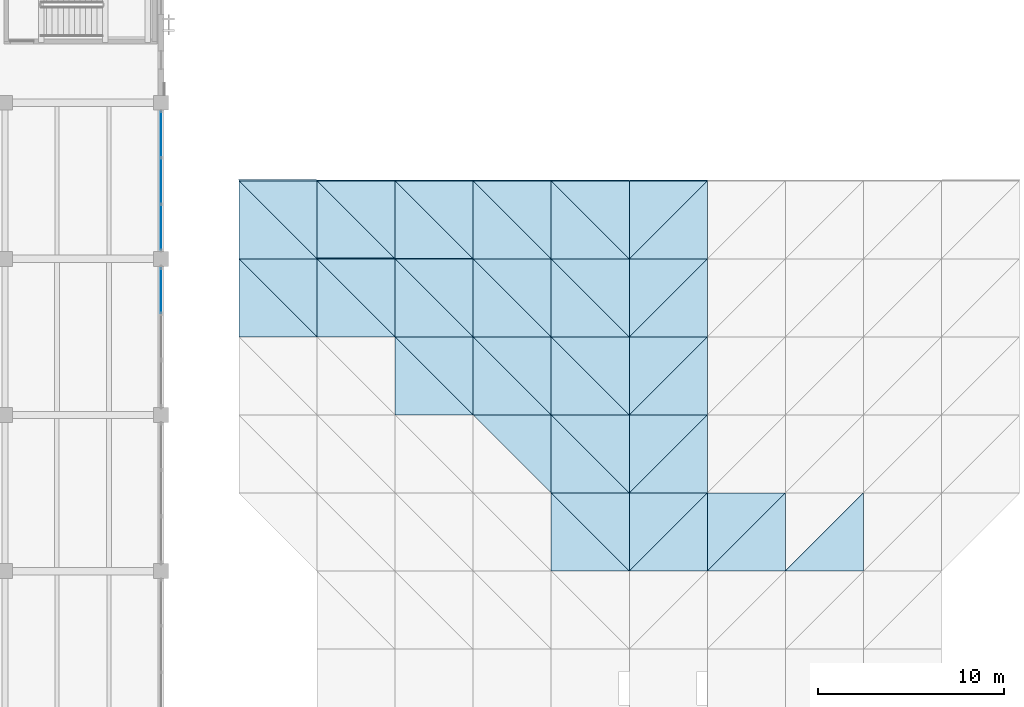
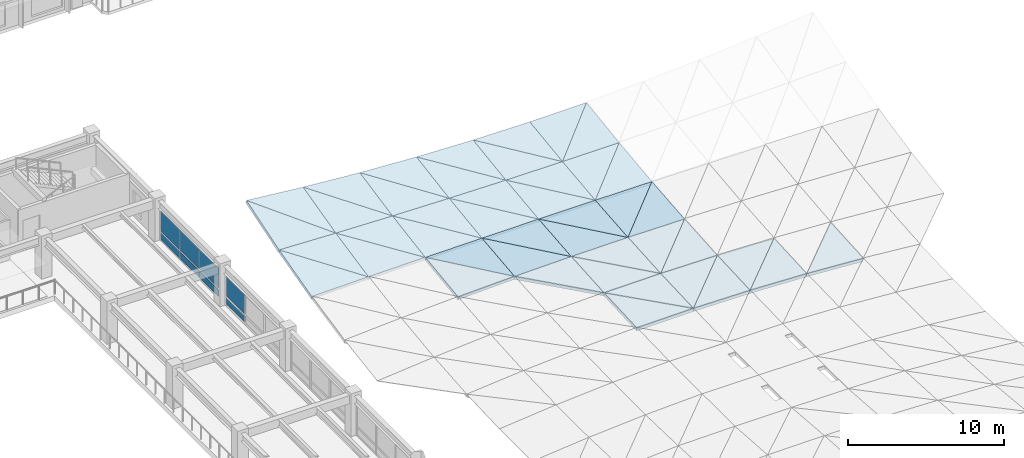
# One storey, part 65 of 123: 44 slabs, 8 plates, 2 elements without a shape of their own.
"""IFC4 building model written with IfcOpenShell, lengths in metres."""

from ifc_helpers import new_model, si_unit, direction, frame, origin, origin_2d, place, context, subcontext, project, spatial, polyline, rectangle, outline, extrude, material, layer, layer_set, type_object, element, aggregate, save


model = new_model("IFC4")

# Units and contexts
model_context = context("Model", 3, precision=1e-05, world=origin(), true_north=direction((0.0, 1.0)))
body_context = subcontext(model_context, "Body", "Model", "MODEL_VIEW")
ifc_project = project(units=[si_unit("LENGTHUNIT", "METRE"), si_unit("AREAUNIT", "SQUARE_METRE"), si_unit("VOLUMEUNIT", "CUBIC_METRE"), si_unit("PLANEANGLEUNIT", "RADIAN"), si_unit("MASSUNIT", "GRAM", prefix="KILO")], contexts=[model_context])

# Site, building, storey
site_placement = place(None, origin())
site = spatial("IfcSite", under=ifc_project, at=site_placement, CompositionType="ELEMENT")
building_placement = place(site_placement, origin())
building = spatial("IfcBuilding", under=site, at=building_placement, Name="Cumbredor Promenade Congress Hotel", CompositionType="ELEMENT")
storey_placement = place(building_placement, frame((0.0, 0.0, 11.760009765625)))
storey = spatial("IfcBuildingStorey", under=building, at=storey_placement, Name="L03", CompositionType="ELEMENT", Elevation=11.760009765625)

# Curtain wall, plates
ifc_material_1 = material(Name="Thermally broken anodized aluminium and low-E glass", Category="aluminium")
curtain_wall_type = type_object("IfcCurtainWallType", Name="Unitised Bronze Curtain Wall CW-01", PredefinedType="NOTDEFINED", material=ifc_material_1)
curtain_wall_1_placement = place(storey_placement, origin())
curtain_wall_1 = element("IfcCurtainWall", 1, at=curtain_wall_1_placement, inside=storey, type_object=curtain_wall_type, Name="L03 Plenary Congress Hall East Curtain Wall 6", PredefinedType="NOTDEFINED")
ifc_material_2 = material(Name="Laminated low-E solar-control glass", Category="glass")
ifc_layer_1 = layer(ifc_material_2, 0.028076171875, Name="Laminated low-E solar-control glass", Category="glass")
ifc_layer_set_1 = layer_set([ifc_layer_1], Name="Laminated low-E solar-control glass")
plate_type_1 = type_object("IfcPlateType", Name="Glazed Vision Panel PNL-01", PredefinedType="CURTAIN_PANEL", material=ifc_layer_set_1)
plate_1_placement = place(storey_placement, frame((67.199951171875, 52.103515625, 0.784912109375), z_axis=(0.0, 0.0, 1.0), x_axis=(0.0, 1.0, 0.0)))
plate_1 = element("IfcPlate", 2, at=plate_1_placement, type_object=plate_type_1, Name="L03 Plenary Congress Hall East Curtain Wall 6 Glazing Panel 1.2", PredefinedType="CURTAIN_PANEL", context=body_context, shape_type="SweptSolid", body=[
    extrude(rectangle(XDim=2.431640625, YDim=0.028076171875, at=origin_2d()), origin(), (0.0, 0.0, 1.0), 1.580078125),
])
plate_2_placement = place(storey_placement, frame((67.199951171875, 54.60009765625, 0.784912109375), z_axis=(0.0, 0.0, 1.0), x_axis=(0.0, 1.0, 0.0)))
plate_2 = element("IfcPlate", 3, at=plate_2_placement, type_object=plate_type_1, Name="L03 Plenary Congress Hall East Curtain Wall 6 Glazing Panel 2.2", PredefinedType="CURTAIN_PANEL", context=body_context, shape_type="SweptSolid", body=[
    extrude(rectangle(XDim=2.431640625, YDim=0.028076171875, at=origin_2d()), origin(), (0.0, 0.0, 1.0), 1.580078125),
])
plate_3_placement = place(storey_placement, frame((67.199951171875, 57.0966796875, 0.784912109375), z_axis=(0.0, 0.0, 1.0), x_axis=(0.0, 1.0, 0.0)))
plate_3 = element("IfcPlate", 4, at=plate_3_placement, type_object=plate_type_1, Name="L03 Plenary Congress Hall East Curtain Wall 6 Glazing Panel 3.2", PredefinedType="CURTAIN_PANEL", context=body_context, shape_type="SweptSolid", body=[
    extrude(rectangle(XDim=2.431640625, YDim=0.028076171875, at=origin_2d()), origin(), (0.0, 0.0, 1.0), 1.580078125),
])

curtain_wall_2_placement = place(storey_placement, origin())
curtain_wall_2 = element("IfcCurtainWall", 5, at=curtain_wall_2_placement, inside=storey, type_object=curtain_wall_type, Name="L03 Plenary Congress Hall East Curtain Wall 5", PredefinedType="NOTDEFINED")
ifc_layer_2 = layer(ifc_material_2, 0.028076171875, Name="Laminated low-E solar-control glass", Category="glass")
ifc_layer_set_2 = layer_set([ifc_layer_2], Name="Laminated low-E solar-control glass")
plate_type_2 = type_object("IfcPlateType", Name="Glazed Vision Panel PNL-03", PredefinedType="CURTAIN_PANEL", material=ifc_layer_set_2)
plate_4_placement = place(storey_placement, frame((67.199951171875, 48.69677734375, 0.81005859375), z_axis=(0.0, 0.0, 1.0), x_axis=(0.0, 1.0, 0.0)))
plate_4 = element("IfcPlate", 6, at=plate_4_placement, type_object=plate_type_2, Name="L03 Plenary Congress Hall East Curtain Wall 5 Glazing Panel 3.2", PredefinedType="CURTAIN_PANEL", context=body_context, shape_type="SweptSolid", body=[
    extrude(rectangle(XDim=2.416748046875, YDim=0.028076171875, at=origin_2d()), origin(), (0.0, 0.0, 1.0), 1.5),
])
ifc_material_3 = material(Name="Thermally broken anodized aluminium", Category="aluminium")
ifc_layer_3 = layer(ifc_material_3, 0.0400390625, Name="Thermally broken anodized aluminium", Category="aluminium")
ifc_layer_set_3 = layer_set([ifc_layer_3], Name="Thermally broken anodized aluminium")
plate_type_3 = type_object("IfcPlateType", Name="Insulated Spandrel Panel PNL-05", PredefinedType="CURTAIN_PANEL", material=ifc_layer_set_3)
plate_5_placement = place(storey_placement, frame((67.199951171875, 48.69677734375, 0.18017578125), z_axis=(0.0, 0.0, 1.0), x_axis=(0.0, 1.0, 0.0)))
plate_5 = element("IfcPlate", 7, at=plate_5_placement, type_object=plate_type_3, Name="L03 Plenary Congress Hall East Curtain Wall 5 Spandrel Panel 3.1", PredefinedType="CURTAIN_PANEL", context=body_context, shape_type="SweptSolid", body=[
    extrude(rectangle(XDim=2.416748046875, YDim=0.0400390625, at=origin_2d()), origin(), (0.0, 0.0, 1.0), 0.449951171875),
])
aggregate(curtain_wall_2, [plate_5, plate_4])

# Plate
ifc_layer_4 = layer(ifc_material_3, 0.0400390625, Name="Thermally broken anodized aluminium", Category="aluminium")
ifc_layer_set_4 = layer_set([ifc_layer_4], Name="Thermally broken anodized aluminium")
plate_type_4 = type_object("IfcPlateType", Name="Insulated Spandrel Panel PNL-06", PredefinedType="CURTAIN_PANEL", material=ifc_layer_set_4)
plate_6_placement = place(storey_placement, frame((67.199951171875, 52.103515625, 0.125), z_axis=(0.0, 0.0, 1.0), x_axis=(0.0, 1.0, 0.0)))
plate_6 = element("IfcPlate", 8, at=plate_6_placement, type_object=plate_type_4, Name="L03 Plenary Congress Hall East Curtain Wall 6 Spandrel Panel 1.1", PredefinedType="CURTAIN_PANEL", context=body_context, shape_type="SweptSolid", body=[
    extrude(rectangle(XDim=2.431640625, YDim=0.0400390625, at=origin_2d()), origin(), (0.0, 0.0, 1.0), 0.530029296875),
])

plate_7_placement = place(storey_placement, frame((67.199951171875, 54.60009765625, 0.125), z_axis=(0.0, 0.0, 1.0), x_axis=(0.0, 1.0, 0.0)))
plate_7 = element("IfcPlate", 9, at=plate_7_placement, type_object=plate_type_4, Name="L03 Plenary Congress Hall East Curtain Wall 6 Spandrel Panel 2.1", PredefinedType="CURTAIN_PANEL", context=body_context, shape_type="SweptSolid", body=[
    extrude(rectangle(XDim=2.431640625, YDim=0.0400390625, at=origin_2d()), origin(), (0.0, 0.0, 1.0), 0.530029296875),
])

plate_8_placement = place(storey_placement, frame((67.199951171875, 57.0966796875, 0.125), z_axis=(0.0, 0.0, 1.0), x_axis=(0.0, 1.0, 0.0)))
plate_8 = element("IfcPlate", 10, at=plate_8_placement, type_object=plate_type_4, Name="L03 Plenary Congress Hall East Curtain Wall 6 Spandrel Panel 3.1", PredefinedType="CURTAIN_PANEL", context=body_context, shape_type="SweptSolid", body=[
    extrude(rectangle(XDim=2.431640625, YDim=0.0400390625, at=origin_2d()), origin(), (0.0, 0.0, 1.0), 0.530029296875),
])

aggregate(curtain_wall_1, [plate_6, plate_1, plate_7, plate_2, plate_8, plate_3])

# Slabs
ifc_material_4 = material(Name="Concrete C40/50", Category="concrete")
ifc_layer_5 = layer(ifc_material_4, 0.2451171875, Name="Concrete C40/50", Category="concrete")
ifc_layer_set_5 = layer_set([ifc_layer_5], Name="Concrete C40/50")
slab_type = type_object("IfcSlabType", Name="Spa Catenary Roof Deck 245mm", PredefinedType="ROOF", material=ifc_layer_set_5)
slab_1_placement = place(storey_placement, frame((71.39990234375, 46.199951171875, 1.49267578125), z_axis=(-0.017078932493, -0.255974143359, 0.966532745434), x_axis=(0.999843916636, 0.0, 0.017667551189)))
element("IfcSlab", 11, at=slab_1_placement, inside=storey, type_object=slab_type, Name="Thermal Spa and Hydrotherapy Pavilion Sweeping Roof Deck Facet 1.12.1", PredefinedType="ROOF", context=body_context, shape_type="SweptSolid", body=[
    extrude(outline(polyline([(0.0, 0.0), (4.200850995453009, 3.469446951953614e-18), (0.01965170000429597, 4.3447008383380785), (0.0, 0.0)])), origin(), (0.0, 0.0, -1.0), 0.2451171875),
])
slab_2_placement = place(storey_placement, frame((75.60009765625, 46.199951171875, 1.56689453125), z_axis=(0.036268318248, -0.205456616586, 0.97799396102), x_axis=(0.0, 0.978637818466, 0.205591877925)))
element("IfcSlab", 12, at=slab_2_placement, inside=storey, type_object=slab_type, Name="Thermal Spa and Hydrotherapy Pavilion Sweeping Roof Deck Facet 1.12.2", PredefinedType="ROOF", context=body_context, shape_type="SweptSolid", body=[
    extrude(outline(polyline([(0.0, 0.0), (4.291629745577662, 0.0), (4.323653089844224, 4.20296049013037), (0.0, 0.0)])), origin(), (0.0, 0.0, -1.0), 0.2451171875),
])
slab_3_placement = place(storey_placement, frame((71.39990234375, 50.39990234375, 2.60498046875), z_axis=(0.035320187478, -0.302712829356, 0.952427124404), x_axis=(0.999313082109, 0.0, -0.03705892504)))
element("IfcSlab", 13, at=slab_3_placement, inside=storey, type_object=slab_type, Name="Thermal Spa and Hydrotherapy Pavilion Sweeping Roof Deck Facet 1.13.1", PredefinedType="ROOF", context=body_context, shape_type="SweptSolid", body=[
    extrude(outline(polyline([(0.0, 0.0), (4.203082485054859, 0.0), (-0.04947221731395485, 4.406961977089421), (0.0, 0.0)])), origin(), (0.0, 0.0, -1.0), 0.2451171875),
])
slab_4_placement = place(storey_placement, frame((75.60009765625, 50.39990234375, 2.44921875), z_axis=(0.099213613424, -0.243238802385, 0.964879030721), x_axis=(0.0, 0.969663195666, 0.244444854662)))
element("IfcSlab", 14, at=slab_4_placement, inside=storey, type_object=slab_type, Name="Thermal Spa and Hydrotherapy Pavilion Sweeping Roof Deck Facet 1.13.2", PredefinedType="ROOF", context=body_context, shape_type="SweptSolid", body=[
    extrude(outline(polyline([(0.0, 0.0), (4.331602283424711, 1.3877787807814457e-17), (4.437174292188612, 4.221021163757828), (0.0, 0.0)])), origin(), (0.0, 0.0, -1.0), 0.2451171875),
])
slab_5_placement = place(storey_placement, frame((75.60009765625, 46.199951171875, 1.56689453125), z_axis=(-0.013424269813, -0.205573352129, 0.978549633833), x_axis=(0.999905914145, 0.0, 0.013717246744)))
element("IfcSlab", 15, at=slab_5_placement, inside=storey, type_object=slab_type, Name="Thermal Spa and Hydrotherapy Pavilion Sweeping Roof Deck Facet 2.12.1", PredefinedType="ROOF", context=body_context, shape_type="SweptSolid", body=[
    extrude(outline(polyline([(0.0, 0.0), (4.2003463650548625, 0.0), (0.012103059016859378, 4.2916126792954445), (0.0, 0.0)])), origin(), (0.0, 0.0, -1.0), 0.2451171875),
])
slab_6_placement = place(storey_placement, frame((79.800048828125, 46.199951171875, 1.62451171875), z_axis=(0.028481942239, -0.165103572615, 0.985864894028), x_axis=(0.0, 0.986265014653, 0.165170581132)))
element("IfcSlab", 16, at=slab_6_placement, inside=storey, type_object=slab_type, Name="Thermal Spa and Hydrotherapy Pavilion Sweeping Roof Deck Facet 2.12.2", PredefinedType="ROOF", context=body_context, shape_type="SweptSolid", body=[
    extrude(outline(polyline([(0.0, 0.0), (4.258440793778603, -3.469446951953614e-18), (4.278482243686476, 4.201655753404972), (0.0, 0.0)])), origin(), (0.0, 0.0, -1.0), 0.2451171875),
])
slab_7_placement = place(storey_placement, frame((75.60009765625, 50.39990234375, 2.44921875), z_axis=(0.0280028843, -0.24434899374, 0.969282934818), x_axis=(0.999582936058, 0.0, -0.028878260723)))
element("IfcSlab", 17, at=slab_7_placement, inside=storey, type_object=slab_type, Name="Thermal Spa and Hydrotherapy Pavilion Sweeping Roof Deck Facet 2.13.1", PredefinedType="ROOF", context=body_context, shape_type="SweptSolid", body=[
    extrude(outline(polyline([(0.0, 0.0), (4.20170355092259, 3.469446951953614e-18), (-0.030577396669037145, 4.33149435698387), (0.0, 0.0)])), origin(), (0.0, 0.0, -1.0), 0.2451171875),
])
slab_8_placement = place(storey_placement, frame((79.800048828125, 50.39990234375, 2.327880859375), z_axis=(0.078234999777, -0.196399908178, 0.977397749577), x_axis=(0.0, 0.980402737768, 0.197003735437)))
element("IfcSlab", 18, at=slab_8_placement, inside=storey, type_object=slab_type, Name="Thermal Spa and Hydrotherapy Pavilion Sweeping Roof Deck Facet 2.13.2", PredefinedType="ROOF", context=body_context, shape_type="SweptSolid", body=[
    extrude(outline(polyline([(0.0, 0.0), (4.284152981927269, 0.0), (4.3503820209158715, 4.212863830700222), (0.0, 0.0)])), origin(), (0.0, 0.0, -1.0), 0.2451171875),
])
slab_9_placement = place(storey_placement, frame((79.800048828125, 42.0, 1.061767578125), z_axis=(-0.033800401142, -0.132725595626, 0.990576321718), x_axis=(0.999418353939, 0.0, 0.034102108572)))
element("IfcSlab", 19, at=slab_9_placement, inside=storey, type_object=slab_type, Name="Thermal Spa and Hydrotherapy Pavilion Sweeping Roof Deck Facet 3.11.1", PredefinedType="ROOF", context=body_context, shape_type="SweptSolid", body=[
    extrude(outline(polyline([(0.0, 0.0), (4.202395478650219, 0.0), (0.019190761781795462, 4.237440563430263), (0.0, 0.0)])), origin(), (0.0, 0.0, -1.0), 0.2451171875),
])
slab_10_placement = place(storey_placement, frame((84.0, 42.0, 1.205078125), z_axis=(-0.009707116848, -0.108973942705, 0.993997209098), x_axis=(0.0, 0.99404404365, 0.108979077273)))
element("IfcSlab", 20, at=slab_10_placement, inside=storey, type_object=slab_type, Name="Thermal Spa and Hydrotherapy Pavilion Sweeping Roof Deck Facet 3.11.2", PredefinedType="ROOF", context=body_context, shape_type="SweptSolid", body=[
    extrude(outline(polyline([(0.0, 0.0), (4.225115777015072, 0.0), (4.220645932048803, 4.200149062606506), (0.0, 0.0)])), origin(), (0.0, 0.0, -1.0), 0.2451171875),
])
slab_11_placement = place(storey_placement, frame((79.800048828125, 46.199951171875, 1.62451171875), z_axis=(-0.009631159538, -0.165162920406, 0.986219270999), x_axis=(0.999952318586, 0.0, 0.00976527289)))
element("IfcSlab", 21, at=slab_11_placement, inside=storey, type_object=slab_type, Name="Thermal Spa and Hydrotherapy Pavilion Sweeping Roof Deck Facet 3.12.1", PredefinedType="ROOF", context=body_context, shape_type="SweptSolid", body=[
    extrude(outline(polyline([(0.0, 0.0), (4.200151441034993, 8.673617379884035e-19), (0.006868591600434846, 4.258435254476362), (0.0, 0.0)])), origin(), (0.0, 0.0, -1.0), 0.2451171875),
])
slab_12_placement = place(storey_placement, frame((84.0, 46.199951171875, 1.66552734375), z_axis=(0.020440500208, -0.135770984479, 0.990529366412), x_axis=(0.0, 0.99073635982, 0.135799356883)))
element("IfcSlab", 22, at=slab_12_placement, inside=storey, type_object=slab_type, Name="Thermal Spa and Hydrotherapy Pavilion Sweeping Roof Deck Facet 3.12.2", PredefinedType="ROOF", context=body_context, shape_type="SweptSolid", body=[
    extrude(outline(polyline([(0.0, 0.0), (4.239221797246176, 0.0), (4.2509915168978925, 4.200828846214915), (0.0, 0.0)])), origin(), (0.0, 0.0, -1.0), 0.2451171875),
])
slab_13_placement = place(storey_placement, frame((79.800048828125, 50.39990234375, 2.327880859375), z_axis=(0.020227388491, -0.196963429546, 0.980202152709), x_axis=(0.99978714706, 0.0, -0.020631543173)))
element("IfcSlab", 23, at=slab_13_placement, inside=storey, type_object=slab_type, Name="Thermal Spa and Hydrotherapy Pavilion Sweeping Roof Deck Facet 3.13.1", PredefinedType="ROOF", context=body_context, shape_type="SweptSolid", body=[
    extrude(outline(polyline([(0.0, 0.0), (4.20084533415502, 0.0), (-0.017412901550121, 4.284117594489665), (0.0, 0.0)])), origin(), (0.0, 0.0, -1.0), 0.2451171875),
])
slab_14_placement = place(storey_placement, frame((84.0, 50.39990234375, 2.2412109375), z_axis=(0.056294555694, -0.162002076363, 0.985183358697), x_axis=(0.0, 0.986748139826, 0.162259386629)))
element("IfcSlab", 24, at=slab_14_placement, inside=storey, type_object=slab_type, Name="Thermal Spa and Hydrotherapy Pavilion Sweeping Roof Deck Facet 3.13.2", PredefinedType="ROOF", context=body_context, shape_type="SweptSolid", body=[
    extrude(outline(polyline([(0.0, 0.0), (4.256603223229035, 0.0), (4.29554389145572, 4.20662201571375), (0.0, 0.0)])), origin(), (0.0, 0.0, -1.0), 0.2451171875),
])
slab_15_placement = place(storey_placement, frame((88.199951171875, 37.800048828125, 0.99169921875), z_axis=(-0.020463395145, -0.071129138365, 0.997257186053), x_axis=(0.0, 0.997466052646, 0.071144035726)))
element("IfcSlab", 25, at=slab_15_placement, inside=storey, type_object=slab_type, Name="Thermal Spa and Hydrotherapy Pavilion Sweeping Roof Deck Facet 4.10.2", PredefinedType="ROOF", context=body_context, shape_type="SweptSolid", body=[
    extrude(outline(polyline([(0.0, 0.0), (4.210620662963862, -8.673617379884035e-19), (4.204489353244303, 4.200830814060015), (0.0, 0.0)])), origin(), (0.0, 0.0, -1.0), 0.2451171875),
])
slab_16_placement = place(storey_placement, frame((84.0, 42.0, 1.205078125), z_axis=(-0.020393220577, -0.108956413619, 0.993837318924), x_axis=(0.999789537892, 0.0, 0.020515358186)))
element("IfcSlab", 26, at=slab_16_placement, inside=storey, type_object=slab_type, Name="Thermal Spa and Hydrotherapy Pavilion Sweeping Roof Deck Facet 4.11.1", PredefinedType="ROOF", context=body_context, shape_type="SweptSolid", body=[
    extrude(outline(polyline([(0.0, 0.0), (4.200835288524772, 1.734723475976807e-18), (0.009446280649177734, 4.2251052172654315), (0.0, 0.0)])), origin(), (0.0, 0.0, -1.0), 0.2451171875),
])
slab_17_placement = place(storey_placement, frame((88.199951171875, 42.0, 1.291259765625), z_axis=(-0.005844663075, -0.094556232315, 0.995502365062), x_axis=(0.0, 0.995519368721, 0.094557847381)))
element("IfcSlab", 27, at=slab_17_placement, inside=storey, type_object=slab_type, Name="Thermal Spa and Hydrotherapy Pavilion Sweeping Roof Deck Facet 4.11.2", PredefinedType="ROOF", context=body_context, shape_type="SweptSolid", body=[
    extrude(outline(polyline([(0.0, 0.0), (4.2188543024238365, -4.336808689942018e-19), (4.21652267581606, 4.200022909060485), (0.0, 0.0)])), origin(), (0.0, 0.0, -1.0), 0.2451171875),
])
slab_18_placement = place(storey_placement, frame((84.0, 46.199951171875, 1.66552734375), z_axis=(-0.005816583131, -0.135797059638, 0.990719600066), x_axis=(0.99998276572, 0.0, 0.005870967816)))
element("IfcSlab", 28, at=slab_18_placement, inside=storey, type_object=slab_type, Name="Thermal Spa and Hydrotherapy Pavilion Sweeping Roof Deck Facet 4.12.1", PredefinedType="ROOF", context=body_context, shape_type="SweptSolid", body=[
    extrude(outline(polyline([(0.0, 0.0), (4.20002355625722, -4.336808689942018e-19), (0.0033798198510742177, 4.239220449925302), (0.0, 0.0)])), origin(), (0.0, 0.0, -1.0), 0.2451171875),
])
slab_19_placement = place(storey_placement, frame((88.199951171875, 46.199951171875, 1.690185546875), z_axis=(0.012294149294, -0.117977658011, 0.992940142256), x_axis=(0.0, 0.993015190282, 0.117986574954)))
element("IfcSlab", 29, at=slab_19_placement, inside=storey, type_object=slab_type, Name="Thermal Spa and Hydrotherapy Pavilion Sweeping Roof Deck Facet 4.12.2", PredefinedType="ROOF", context=body_context, shape_type="SweptSolid", body=[
    extrude(outline(polyline([(0.0, 0.0), (4.229493378326594, 0.0), (4.235628910666739, 4.200268610994527), (0.0, 0.0)])), origin(), (0.0, 0.0, -1.0), 0.2451171875),
])
slab_20_placement = place(storey_placement, frame((84.0, 50.39990234375, 2.2412109375), z_axis=(0.012216570905, -0.162247278008, 0.986674503661), x_axis=(0.999923357281, 0.0, -0.012380612399)))
element("IfcSlab", 30, at=slab_20_placement, inside=storey, type_object=slab_type, Name="Thermal Spa and Hydrotherapy Pavilion Sweeping Roof Deck Facet 4.13.1", PredefinedType="ROOF", context=body_context, shape_type="SweptSolid", body=[
    extrude(outline(polyline([(0.0, 0.0), (4.200273092224242, -1.734723475976807e-18), (-0.008550964960185752, 4.256594634329427), (0.0, 0.0)])), origin(), (0.0, 0.0, -1.0), 0.2451171875),
])
slab_21_placement = place(storey_placement, frame((88.199951171875, 50.39990234375, 2.189208984375), z_axis=(0.033875947566, -0.141074480883, 0.989419229154), x_axis=(0.0, 0.989987437021, 0.141155497734)))
element("IfcSlab", 31, at=slab_21_placement, inside=storey, type_object=slab_type, Name="Thermal Spa and Hydrotherapy Pavilion Sweeping Roof Deck Facet 4.13.2", PredefinedType="ROOF", context=body_context, shape_type="SweptSolid", body=[
    extrude(outline(polyline([(0.0, 0.0), (4.242675366809397, 0.0), (4.262973361966922, 4.202363137628268), (0.0, 0.0)])), origin(), (0.0, 0.0, -1.0), 0.2451171875),
])
slab_22_placement = place(storey_placement, frame((88.199951171875, 33.60009765625, 0.792236328125), z_axis=(-0.012889126659, -0.047434308469, 0.998791197796), x_axis=(0.999916744423, 0.0, 0.012903651529)))
element("IfcSlab", 32, at=slab_22_placement, inside=storey, type_object=slab_type, Name="Thermal Spa and Hydrotherapy Pavilion Sweeping Roof Deck Facet 5.9.1", PredefinedType="ROOF", context=body_context, shape_type="SweptSolid", body=[
    extrude(outline(polyline([(0.0, 0.0), (4.200300870348134, -4.336808689942018e-19), (0.0025737996336904485, 4.204684133966083), (0.0, 0.0)])), origin(), (0.0, 0.0, -1.0), 0.2451171875),
])
slab_23_placement = place(storey_placement, frame((92.39990234375, 33.60009765625, 0.846435546875), z_axis=(-0.01051015212, -0.045060099698, 0.998928988526), x_axis=(0.0, 0.998984165592, 0.045062588647)))
element("IfcSlab", 33, at=slab_23_placement, inside=storey, type_object=slab_type, Name="Thermal Spa and Hydrotherapy Pavilion Sweeping Roof Deck Facet 5.9.2", PredefinedType="ROOF", context=body_context, shape_type="SweptSolid", body=[
    extrude(outline(polyline([(0.0, 0.0), (4.204221965204318, 4.336808689942018e-19), (4.202230674055596, 4.200183161322996), (0.0, 0.0)])), origin(), (0.0, 0.0, -1.0), 0.2451171875),
])
slab_24_placement = place(storey_placement, frame((88.199951171875, 37.800048828125, 0.99169921875), z_axis=(-0.010494182058, -0.071140118148, 0.997411126734), x_axis=(0.999944654448, 0.0, 0.010520838369)))
element("IfcSlab", 34, at=slab_24_placement, inside=storey, type_object=slab_type, Name="Thermal Spa and Hydrotherapy Pavilion Sweeping Roof Deck Facet 5.10.1", PredefinedType="ROOF", context=body_context, shape_type="SweptSolid", body=[
    extrude(outline(polyline([(0.0, 0.0), (4.2001836333548175, 0.0), (0.003151628095283787, 4.210619483474918), (0.0, 0.0)])), origin(), (0.0, 0.0, -1.0), 0.2451171875),
])
slab_25_placement = place(storey_placement, frame((92.39990234375, 37.800048828125, 1.035888671875), z_axis=(-0.00678549434, -0.067448973654, 0.997699650706), x_axis=(0.0, 0.997722620009, 0.067450526482)))
element("IfcSlab", 35, at=slab_25_placement, inside=storey, type_object=slab_type, Name="Thermal Spa and Hydrotherapy Pavilion Sweeping Roof Deck Facet 5.10.2", PredefinedType="ROOF", context=body_context, shape_type="SweptSolid", body=[
    extrude(outline(polyline([(0.0, 0.0), (4.20953788923599, 2.168404344971009e-19), (4.2076112018340375, 4.200047864250141), (0.0, 0.0)])), origin(), (0.0, 0.0, -1.0), 0.2451171875),
])
slab_26_placement = place(storey_placement, frame((88.199951171875, 42.0, 1.291259765625), z_axis=(-0.006770510754, -0.094555680099, 0.995496551247), x_axis=(0.999976873054, 0.0, 0.006800982047)))
element("IfcSlab", 36, at=slab_26_placement, inside=storey, type_object=slab_type, Name="Thermal Spa and Hydrotherapy Pavilion Sweeping Roof Deck Facet 5.11.1", PredefinedType="ROOF", context=body_context, shape_type="SweptSolid", body=[
    extrude(outline(polyline([(0.0, 0.0), (4.200048306164646, 0.0), (0.0027130870761996728, 4.218853430049287), (0.0, 0.0)])), origin(), (0.0, 0.0, -1.0), 0.2451171875),
])
slab_27_placement = place(storey_placement, frame((92.39990234375, 42.0, 1.31982421875), z_axis=(-0.001968411623, -0.089794306669, 0.995958386603), x_axis=(0.0, 0.995960316101, 0.08979448063)))
element("IfcSlab", 37, at=slab_27_placement, inside=storey, type_object=slab_type, Name="Thermal Spa and Hydrotherapy Pavilion Sweeping Roof Deck Facet 5.11.2", PredefinedType="ROOF", context=body_context, shape_type="SweptSolid", body=[
    extrude(outline(polyline([(0.0, 0.0), (4.21698646419579, 0.0), (4.216241099854625, 4.199959308557114), (0.0, 0.0)])), origin(), (0.0, 0.0, -1.0), 0.2451171875),
])
slab_28_placement = place(storey_placement, frame((88.199951171875, 46.199951171875, 1.690185546875), z_axis=(-0.001962590911, -0.117986347726, 0.99301327785), x_axis=(0.999998046928, 0.0, 0.001976395605)))
element("IfcSlab", 38, at=slab_28_placement, inside=storey, type_object=slab_type, Name="Thermal Spa and Hydrotherapy Pavilion Sweeping Roof Deck Facet 5.12.1", PredefinedType="ROOF", context=body_context, shape_type="SweptSolid", body=[
    extrude(outline(polyline([(0.0, 0.0), (4.199959374696801, 2.168404344971009e-19), (0.0009862677287466814, 4.2294932633336195), (0.0, 0.0)])), origin(), (0.0, 0.0, -1.0), 0.2451171875),
])
slab_29_placement = place(storey_placement, frame((92.39990234375, 46.199951171875, 1.698486328125), z_axis=(0.004101183505, -0.112002743884, 0.993699434264), x_axis=(0.0, 0.993707791236, 0.112003685823)))
element("IfcSlab", 39, at=slab_29_placement, inside=storey, type_object=slab_type, Name="Thermal Spa and Hydrotherapy Pavilion Sweeping Roof Deck Facet 5.12.2", PredefinedType="ROOF", context=body_context, shape_type="SweptSolid", body=[
    extrude(outline(polyline([(0.0, 0.0), (4.226545478377556, 0.0), (4.228486948517547, 4.199986493292828), (0.0, 0.0)])), origin(), (0.0, 0.0, -1.0), 0.2451171875),
])
slab_30_placement = place(storey_placement, frame((88.199951171875, 50.39990234375, 2.189208984375), z_axis=(0.004085829293, -0.141154319504, 0.989979173561), x_axis=(0.999991483272, 0.0, -0.004127151968)))
element("IfcSlab", 40, at=slab_30_placement, inside=storey, type_object=slab_type, Name="Thermal Spa and Hydrotherapy Pavilion Sweeping Roof Deck Facet 5.13.1", PredefinedType="ROOF", context=body_context, shape_type="SweptSolid", body=[
    extrude(outline(polyline([(0.0, 0.0), (4.199986942021189, 0.0), (-0.0024716561959168075, 4.242674646852727), (0.0, 0.0)])), origin(), (0.0, 0.0, -1.0), 0.2451171875),
])
slab_31_placement = place(storey_placement, frame((92.39990234375, 50.39990234375, 2.171875), z_axis=(0.011347423283, -0.134030046375, 0.990912298165), x_axis=(0.0, 0.990976101249, 0.134038676332)))
element("IfcSlab", 41, at=slab_31_placement, inside=storey, type_object=slab_type, Name="Thermal Spa and Hydrotherapy Pavilion Sweeping Roof Deck Facet 5.13.2", PredefinedType="ROOF", context=body_context, shape_type="SweptSolid", body=[
    extrude(outline(polyline([(0.0, 0.0), (4.238442589286298, 0.0), (4.244889273670406, 4.2002215992794625), (0.0, 0.0)])), origin(), (0.0, 0.0, -1.0), 0.2451171875),
])
slab_32_placement = place(storey_placement, frame((92.39990234375, 33.60009765625, 0.846435546875), z_axis=(0.01288837759, -0.047434308927, 0.99879120744), x_axis=(0.9999167541, 0.0, -0.012902901616)))
element("IfcSlab", 42, at=slab_32_placement, inside=storey, type_object=slab_type, Name="Thermal Spa and Hydrotherapy Pavilion Sweeping Roof Deck Facet 6.9.1", PredefinedType="ROOF", context=body_context, shape_type="SweptSolid", body=[
    extrude(outline(polyline([(0.0, 0.0), (4.200544990648248, 0.0), (4.197971340594371, 4.204684134057643), (0.0, 0.0)])), origin(), (0.0, 0.0, -1.0), 0.2451171875),
])
slab_33_placement = place(storey_placement, frame((92.39990234375, 33.60009765625, 0.846435546875), z_axis=(0.010509541274, -0.045060099987, 0.99892899494), x_axis=(0.706915962216, 0.706874872007, 0.024448674583)))
element("IfcSlab", 43, at=slab_33_placement, inside=storey, type_object=slab_type, Name="Thermal Spa and Hydrotherapy Pavilion Sweeping Roof Deck Facet 6.9.2", PredefinedType="ROOF", context=body_context, shape_type="SweptSolid", body=[
    extrude(outline(polyline([(0.0, 0.0), (5.9415765621295975, -1.0061396160665481e-16), (2.973471824856462, 2.972195760627357), (0.0, 0.0)])), origin(), (0.0, 0.0, -1.0), 0.2451171875),
])
slab_34_placement = place(storey_placement, frame((92.39990234375, 37.800048828125, 1.035888671875), z_axis=(0.01049357214, -0.071140118604, 0.997411133119), x_axis=(0.999944660882, 0.0, -0.010520226902)))
element("IfcSlab", 44, at=slab_34_placement, inside=storey, type_object=slab_type, Name="Thermal Spa and Hydrotherapy Pavilion Sweeping Roof Deck Facet 6.10.1", PredefinedType="ROOF", context=body_context, shape_type="SweptSolid", body=[
    extrude(outline(polyline([(0.0, 0.0), (4.200427760468505, 4.336808689942018e-19), (4.197276315544535, 4.210619483612017), (0.0, 0.0)])), origin(), (0.0, 0.0, -1.0), 0.2451171875),
])
slab_35_placement = place(storey_placement, frame((92.39990234375, 37.800048828125, 1.035888671875), z_axis=(0.006785099944, -0.067448973835, 0.997699653376), x_axis=(0.70647470396, 0.706433639399, 0.042953530594)))
element("IfcSlab", 45, at=slab_35_placement, inside=storey, type_object=slab_type, Name="Thermal Spa and Hydrotherapy Pavilion Sweeping Roof Deck Facet 6.10.2", PredefinedType="ROOF", context=body_context, shape_type="SweptSolid", body=[
    extrude(outline(polyline([(0.0, 0.0), (5.945287621705465, -2.498001805406602e-16), (2.9791828258450623, 2.974000492787992), (0.0, 0.0)])), origin(), (0.0, 0.0, -1.0), 0.2451171875),
])
slab_36_placement = place(storey_placement, frame((92.39990234375, 42.0, 1.31982421875), z_axis=(0.006770117229, -0.094555680351, 0.9954965539), x_axis=(0.999976875743, 0.0, -0.006800586751)))
element("IfcSlab", 46, at=slab_36_placement, inside=storey, type_object=slab_type, Name="Thermal Spa and Hydrotherapy Pavilion Sweeping Roof Deck Facet 6.11.1", PredefinedType="ROOF", context=body_context, shape_type="SweptSolid", body=[
    extrude(outline(polyline([(0.0, 0.0), (4.200292441143748, 0.0), (4.197579511761202, 4.218853430150694), (0.0, 0.0)])), origin(), (0.0, 0.0, -1.0), 0.2451171875),
])
slab_37_placement = place(storey_placement, frame((92.39990234375, 42.0, 1.31982421875), z_axis=(0.001968297207, -0.089794306689, 0.995958386828), x_axis=(0.705756731045, 0.705715708217, 0.062231629911)))
element("IfcSlab", 47, at=slab_37_placement, inside=storey, type_object=slab_type, Name="Thermal Spa and Hydrotherapy Pavilion Sweeping Roof Deck Facet 6.11.2", PredefinedType="ROOF", context=body_context, shape_type="SweptSolid", body=[
    extrude(outline(polyline([(0.0, 0.0), (5.951335818339584, 4.475586568020162e-16), (2.9875362759874444, 2.9761723469701122), (0.0, 0.0)])), origin(), (0.0, 0.0, -1.0), 0.2451171875),
])
slab_38_placement = place(storey_placement, frame((92.39990234375, 46.199951171875, 1.698486328125), z_axis=(0.001962476834, -0.117986347752, 0.993013278073), x_axis=(0.999998047155, 0.0, -0.001976280726)))
element("IfcSlab", 48, at=slab_38_placement, inside=storey, type_object=slab_type, Name="Thermal Spa and Hydrotherapy Pavilion Sweeping Roof Deck Facet 6.12.1", PredefinedType="ROOF", context=body_context, shape_type="SweptSolid", body=[
    extrude(outline(polyline([(0.0, 0.0), (4.200203514845005, 2.168404344971009e-19), (4.19921730444385, 4.229493263346987), (0.0, 0.0)])), origin(), (0.0, 0.0, -1.0), 0.2451171875),
])
slab_39_placement = place(storey_placement, frame((92.39990234375, 46.199951171875, 1.698486328125), z_axis=(-0.004100945123, -0.112002743994, 0.993699435235), x_axis=(0.704726400074, 0.704685437135, 0.0823355071)))
element("IfcSlab", 49, at=slab_39_placement, inside=storey, type_object=slab_type, Name="Thermal Spa and Hydrotherapy Pavilion Sweeping Roof Deck Facet 6.12.2", PredefinedType="ROOF", context=body_context, shape_type="SweptSolid", body=[
    extrude(outline(polyline([(0.0, 0.0), (5.9600368484295645, 9.575673587391975e-16), (2.9986211238516898, 2.978583226365211), (0.0, 0.0)])), origin(), (0.0, 0.0, -1.0), 0.2451171875),
])
slab_40_placement = place(storey_placement, frame((92.39990234375, 50.39990234375, 2.171875), z_axis=(-0.004085591804, -0.141154319641, 0.989979174522), x_axis=(0.999991484262, 0.0, 0.004126912078)))
element("IfcSlab", 50, at=slab_40_placement, inside=storey, type_object=slab_type, Name="Thermal Spa and Hydrotherapy Pavilion Sweeping Roof Deck Facet 6.13.1", PredefinedType="ROOF", context=body_context, shape_type="SweptSolid", body=[
    extrude(outline(polyline([(0.0, 0.0), (4.200231080567031, 0.0), (4.202702593097864, 4.242674646936419), (0.0, 0.0)])), origin(), (0.0, 0.0, -1.0), 0.2451171875),
])
slab_41_placement = place(storey_placement, frame((92.39990234375, 50.39990234375, 2.171875), z_axis=(-0.011346763787, -0.134030047378, 0.990912305581), x_axis=(0.703332305478, 0.703332305478, 0.10318592996)))
element("IfcSlab", 51, at=slab_41_placement, inside=storey, type_object=slab_type, Name="Thermal Spa and Hydrotherapy Pavilion Sweeping Roof Deck Facet 6.13.2", PredefinedType="ROOF", context=body_context, shape_type="SweptSolid", body=[
    extrude(outline(polyline([(0.0, 0.0), (5.9718504038353615, -2.706168622523819e-16), (3.0127545513823017, 2.9812255191114203), (0.0, 0.0)])), origin(), (0.0, 0.0, -1.0), 0.2451171875),
])
slab_42_placement = place(storey_placement, frame((96.60009765625, 33.60009765625, 0.792236328125), z_axis=(0.038685084273, -0.054750703979, 0.997750381944), x_axis=(0.999249200496, 0.0, -0.038743196927)))
element("IfcSlab", 52, at=slab_42_placement, inside=storey, type_object=slab_type, Name="Thermal Spa and Hydrotherapy Pavilion Sweeping Roof Deck Facet 7.9.1", PredefinedType="ROOF", context=body_context, shape_type="SweptSolid", body=[
    extrude(outline(polyline([(0.0, 0.0), (4.203106862422566, 0.0), (4.194177766255854, 4.206260329806322), (0.0, 0.0)])), origin(), (0.0, 0.0, -1.0), 0.2451171875),
])
slab_43_placement = place(storey_placement, frame((96.60009765625, 33.60009765625, 0.792236328125), z_axis=(0.031339133203, -0.047414947828, 0.998383534246), x_axis=(0.707060952865, 0.707060952865, 0.011384984244)))
element("IfcSlab", 53, at=slab_43_placement, inside=storey, type_object=slab_type, Name="Thermal Spa and Hydrotherapy Pavilion Sweeping Roof Deck Facet 7.9.2", PredefinedType="ROOF", context=body_context, shape_type="SweptSolid", body=[
    extrude(outline(polyline([(0.0, 0.0), (5.94001288694371, 2.203098814490545e-16), (2.9718923594409286, 2.9744295410662027), (0.0, 0.0)])), origin(), (0.0, 0.0, -1.0), 0.2451171875),
])
slab_44_placement = place(storey_placement, frame((100.800048828125, 33.60009765625, 0.62939453125), z_axis=(0.064246438224, -0.066677384535, 0.995704033118), x_axis=(0.997924828039, 0.0, -0.064389731973)))
element("IfcSlab", 54, at=slab_44_placement, inside=storey, type_object=slab_type, Name="Thermal Spa and Hydrotherapy Pavilion Sweeping Roof Deck Facet 8.9.1", PredefinedType="ROOF", context=body_context, shape_type="SweptSolid", body=[
    extrude(outline(polyline([(0.0, 0.0), (4.208684916807379, 0.0), (4.1905753046901095, 4.209318644458167), (0.0, 0.0)])), origin(), (0.0, 0.0, -1.0), 0.2451171875),
])

save(model, "model.ifc")
